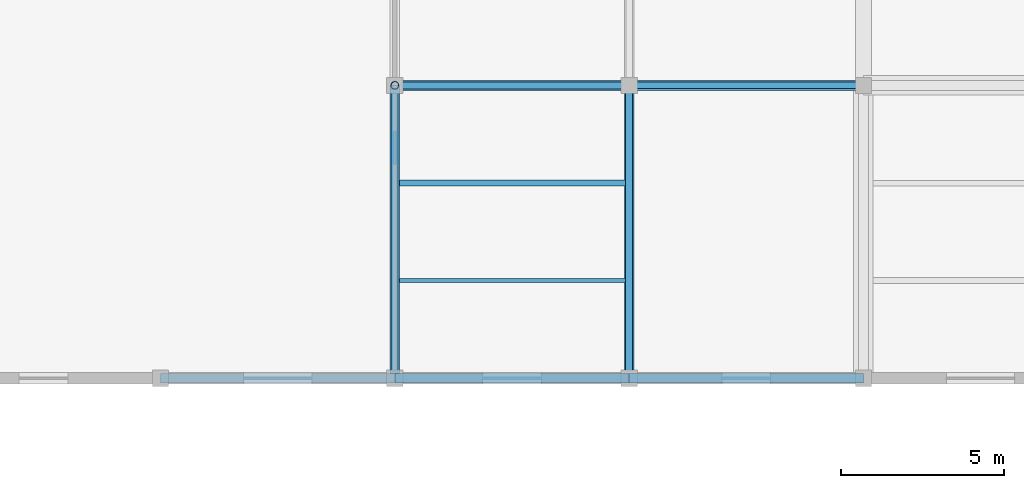
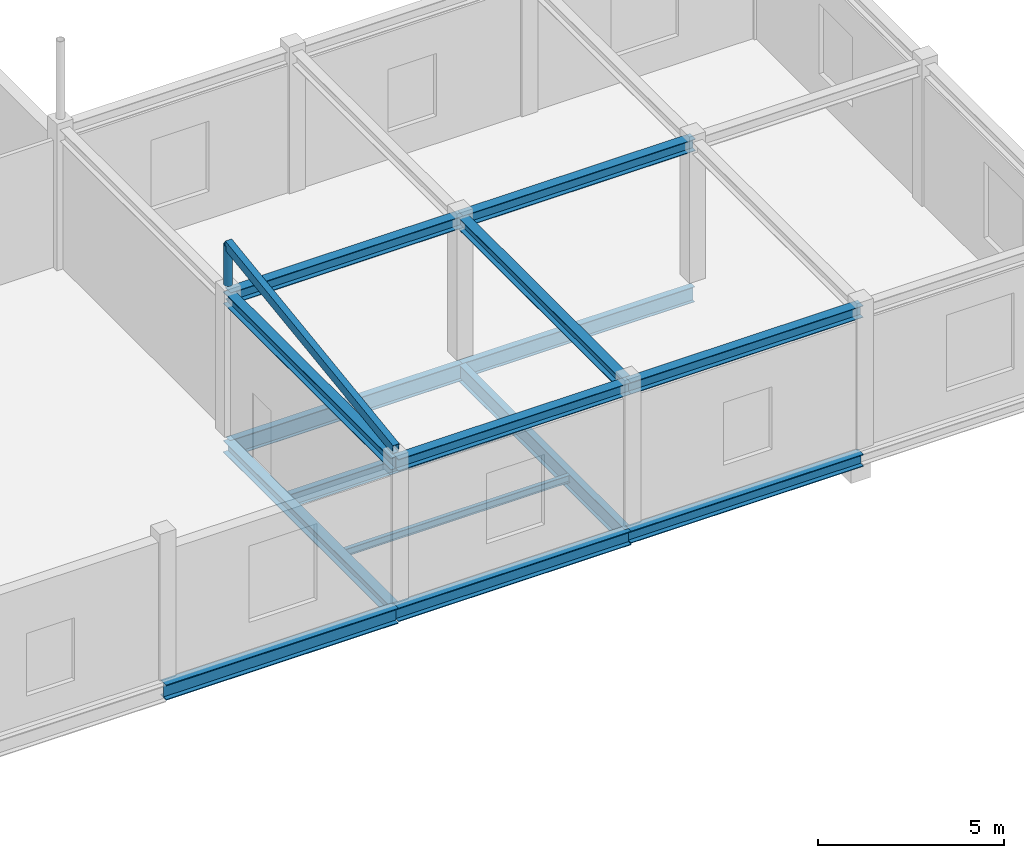
# One storey, part 11 of 35: 15 beams, 2 members.
"""IFC4 building model written with IfcOpenShell, lengths in metres."""

import ifcopenshell
import ifcopenshell.guid

model = None  # the IFC model being written
_history = None  # IfcOwnerHistory: only IFC2X3 demands one
_inside = {}  # id of a spatial element -> (the spatial element, [elements in it])
_under = {}  # id of a project, library or spatial element -> (it, [spatial elements below it])
_declared = {}  # id of a project -> (the project, [libraries it declares])
_typed = {}  # id of a type object -> (the type object, [elements of that type])
_made_of = {}  # id of a material, layer set ... -> (it, [elements and type objects made of it])


def new_model(schema):
    """Start an empty IFC model of exactly this schema.

    Asked for "IFC4X3", IfcOpenShell would pick the latest addendum, in which some entities
    have other attributes; the version numbers below select the first issue.
    IFC2X3 requires an IfcOwnerHistory on every rooted entity: one is made here for all.
    """
    global model, _history
    if schema == "IFC4X3":
        model = ifcopenshell.file(schema_version=(4, 3, 0, 0))
    else:
        model = ifcopenshell.file(schema=schema)
    _inside.clear()
    _under.clear()
    _declared.clear()
    _typed.clear()
    _made_of.clear()
    _history = None
    if model.schema == "IFC2X3":
        org = make("IfcOrganization", Name="unknown")
        user = make(
            "IfcPersonAndOrganization",
            ThePerson=make("IfcPerson", FamilyName="unknown"),
            TheOrganization=org,
        )
        app = make(
            "IfcApplication",
            ApplicationDeveloper=org,
            Version="unknown",
            ApplicationFullName="unknown",
            ApplicationIdentifier="unknown",
        )
        _history = make(
            "IfcOwnerHistory",
            OwningUser=user,
            OwningApplication=app,
            ChangeAction="ADDED",
            CreationDate=0,
        )
    return model


def make(cls, **values):
    """One entity of the class cls with the attributes given. An attribute that is None is left unset."""
    return model.create_entity(
        cls, **{name: value for name, value in values.items() if value is not None}
    )


def rooted(cls, **values):
    """An entity with a GlobalId (a new one), such as an element, a storey or a relation."""
    return make(cls, GlobalId=ifcopenshell.guid.new(), OwnerHistory=_history, **values)


def si_unit(unit_type, name, prefix=None):
    """IfcSIUnit, for example si_unit("LENGTHUNIT", "METRE", prefix="MILLI")."""
    return make("IfcSIUnit", UnitType=unit_type, Prefix=prefix, Name=name)


def assignment(units):
    """IfcUnitAssignment: the units of a project."""
    return None if units is None else make("IfcUnitAssignment", Units=units)


def point(xyz):
    """IfcCartesianPoint."""
    return None if xyz is None else make("IfcCartesianPoint", Coordinates=xyz)


def direction(xyz):
    """IfcDirection."""
    return None if xyz is None else make("IfcDirection", DirectionRatios=xyz)


def frame(location, z_axis=None, x_axis=None):
    """IfcAxis2Placement3D, a coordinate frame: its origin and axes. An axis left out is left unset."""
    return make(
        "IfcAxis2Placement3D",
        Location=point(location),
        Axis=direction(z_axis),
        RefDirection=direction(x_axis),
    )


def frame_2d(location, x_axis=None):
    """IfcAxis2Placement2D, a coordinate frame in the plane: its origin and x axis."""
    return make(
        "IfcAxis2Placement2D", Location=point(location), RefDirection=direction(x_axis)
    )


def origin():
    """The frame at (0, 0, 0) with its axes left unset."""
    return frame((0.0, 0.0, 0.0))


def origin_2d():
    """The frame at (0, 0) in the plane with its x axis left unset."""
    return frame_2d((0.0, 0.0))


def place(relative_to, where):
    """IfcLocalPlacement: puts the frame where relative to a parent placement (None: the world)."""
    return make(
        "IfcLocalPlacement", PlacementRelTo=relative_to, RelativePlacement=where
    )


def context(
    kind, dimensions, precision=None, world=None, true_north=None, identifier=None
):
    """IfcGeometricRepresentationContext, for example the 3D "Model" context."""
    return make(
        "IfcGeometricRepresentationContext",
        ContextIdentifier=identifier,
        ContextType=kind,
        CoordinateSpaceDimension=dimensions,
        Precision=precision,
        WorldCoordinateSystem=world,
        TrueNorth=true_north,
    )


def subcontext(parent, identifier, kind, view, scale=None):
    """IfcGeometricRepresentationSubContext, for example "Body" below "Model"."""
    return make(
        "IfcGeometricRepresentationSubContext",
        ContextIdentifier=identifier,
        ContextType=kind,
        ParentContext=parent,
        TargetScale=scale,
        TargetView=view,
    )


def project(units=None, contexts=None):
    """IfcProject with its units and contexts."""
    return rooted(
        "IfcProject",
        Name="project",
        RepresentationContexts=contexts,
        UnitsInContext=assignment(units),
    )


def spatial(cls, under=None, at=None, **own):
    """A site, building, storey or space (cls), placed at a placement, below another one or the project."""
    s = rooted(cls, ObjectPlacement=at, **own)
    if under is not None:
        _under.setdefault(under.id(), (under, []))[1].append(s)
    return s


def profile(cls, at=None, kind="AREA", **sizes):
    """A parametric profile (cls). Its sizes go by their IFC names, for example OverallWidth=200.0."""
    return make(cls, ProfileType=kind, Position=at, **sizes)


def hollow_rectangle(**sizes):
    """IfcRectangleHollowProfileDef."""
    return profile("IfcRectangleHollowProfileDef", **sizes)


def hollow_circle(**sizes):
    """IfcCircleHollowProfileDef."""
    return profile("IfcCircleHollowProfileDef", **sizes)


def i_section(**sizes):
    """IfcIShapeProfileDef."""
    return profile("IfcIShapeProfileDef", **sizes)


def extrude(swept, where, along, depth):
    """IfcExtrudedAreaSolid: the profile swept, set in the frame where, extruded along a direction by depth."""
    return make(
        "IfcExtrudedAreaSolid",
        SweptArea=swept,
        Position=where,
        ExtrudedDirection=direction(along),
        Depth=depth,
    )


def shape(context_of_items, identifier, shape_type, items):
    """IfcShapeRepresentation: the items that make up one representation, for example the "Body"."""
    return make(
        "IfcShapeRepresentation",
        ContextOfItems=context_of_items,
        RepresentationIdentifier=identifier,
        RepresentationType=shape_type,
        Items=items,
    )


def material(Name=None, Category=None):
    """IfcMaterial."""
    return make("IfcMaterial", Name=Name, Category=Category)


def material_profile(
    of_material, cross_section, Name=None, Category=None, Priority=None
):
    """IfcMaterialProfile: a cross section and its material."""
    return make(
        "IfcMaterialProfile",
        Name=Name,
        Material=of_material,
        Profile=cross_section,
        Priority=Priority,
        Category=Category,
    )


def profile_set(profiles, Name=None, composite=None):
    """IfcMaterialProfileSet."""
    return make(
        "IfcMaterialProfileSet",
        Name=Name,
        MaterialProfiles=profiles,
        CompositeProfile=composite,
    )


def made_of(thing, what):
    """Note that an element or type object is made of a material, layer set ...; save() writes the relation."""
    if what is not None:
        _made_of.setdefault(what.id(), (what, []))[1].append(thing)
    return thing


def type_object(cls, material=None, **own):
    """A type object (cls), such as IfcWallType, which elements share."""
    return made_of(rooted(cls, **own), material)


def element(
    cls,
    number,
    at=None,
    inside=None,
    cuts=None,
    type_object=None,
    material=None,
    context=None,
    identifier="Body",
    shape_type=None,
    held_by="IfcProductDefinitionShape",
    body=None,
    shapes=None,
    **own,
):
    """One element of the class cls, such as IfcWall. Its Tag is "e" and its number.

    at: its placement. inside: the storey or other place that contains it. cuts: it is an
    opening in that element (IfcRelVoidsElement). A single representation is given by context,
    identifier, shape_type and body (its items); several are given by shapes. held_by: the class
    of the entity that holds the representations. save() writes the other relations.
    """
    e = rooted(cls, Tag="e%d" % number, ObjectPlacement=at, **own)
    if body is not None:
        shapes = [shape(context, identifier, shape_type, body)]
    if shapes is not None:
        e.Representation = make(held_by, Representations=shapes)
    if inside is not None:
        _inside.setdefault(inside.id(), (inside, []))[1].append(e)
    if cuts is not None:
        rooted(
            "IfcRelVoidsElement", RelatingBuildingElement=cuts, RelatedOpeningElement=e
        )
    if type_object is not None:
        _typed.setdefault(type_object.id(), (type_object, []))[1].append(e)
    return made_of(e, material)


def aggregate(whole, parts):
    """IfcRelAggregates: a whole, such as a stair, and the parts it consists of."""
    return rooted("IfcRelAggregates", RelatingObject=whole, RelatedObjects=parts)


def save(model, path):
    """Write the relations noted so far, then the file.

    IfcRelAggregates (storeys below a building ...), IfcRelContainedInSpatialStructure (elements
    in a storey), IfcRelDefinesByType, IfcRelAssociatesMaterial and IfcRelDeclares: one each for
    every whole, place, type object, material and project.
    """
    for whole, parts in _under.values():
        aggregate(whole, parts)
    for where, things in _inside.values():
        rooted(
            "IfcRelContainedInSpatialStructure",
            RelatedElements=things,
            RelatingStructure=where,
        )
    for kind, things in _typed.values():
        rooted("IfcRelDefinesByType", RelatedObjects=things, RelatingType=kind)
    for what, things in _made_of.values():
        rooted("IfcRelAssociatesMaterial", RelatedObjects=things, RelatingMaterial=what)
    for by, libraries in _declared.values():
        rooted("IfcRelDeclares", RelatingContext=by, RelatedDefinitions=libraries)
    model.write(path)


model = new_model("IFC4")

# Units and contexts
model_context = context("Model", 3, precision=1e-05, world=origin(), true_north=direction((0.0, 1.0)))
body_context = subcontext(model_context, "Body", "Model", "MODEL_VIEW")
ifc_project = project(units=[si_unit("LENGTHUNIT", "METRE"), si_unit("AREAUNIT", "SQUARE_METRE"), si_unit("VOLUMEUNIT", "CUBIC_METRE"), si_unit("PLANEANGLEUNIT", "RADIAN"), si_unit("MASSUNIT", "GRAM", prefix="KILO")], contexts=[model_context])

# Site, building, storey
site_placement = place(None, origin())
site = spatial("IfcSite", under=ifc_project, at=site_placement, CompositionType="ELEMENT")
building_placement = place(site_placement, origin())
building = spatial("IfcBuilding", under=site, at=building_placement, Name="Sundgate Opera House", CompositionType="ELEMENT")
storey_placement = place(building_placement, frame((0.0, 0.0, 21.60009765625)))
storey = spatial("IfcBuildingStorey", under=building, at=storey_placement, Name="L04", CompositionType="ELEMENT", Elevation=21.60009765625)

# Beams
ifc_material_1 = material(Name="Steel S355J2", Category="steel")
ifc_material_profile_1 = material_profile(ifc_material_1, i_section(OverallWidth=0.300048828125, OverallDepth=0.389892578125, WebThickness=0.010986328125, FlangeThickness=0.01904296875, at=origin_2d()), Name="HEA 400")
ifc_profile_set_1 = profile_set([ifc_material_profile_1], Name="Steel S355J2")
beam_type_1 = type_object("IfcBeamType", Name="BM-GR-HEA400", PredefinedType="BEAM", material=ifc_profile_set_1)
for number, where, z_axis, x_axis, name in (
    (1, (124.199951171875, 69.0, -0.47509765625), (0.0, 1.0, 0.0), (-1.0, 0.0, 0.0), "L04 Primary N-S Girder B2932"),
    (2, (124.199951171875, 69.0, 4.39501953125), (0.0, 1.0, 0.0), (-1.0, 0.0, 0.0), "L04 L04 Roof Girder B3421"),
    (3, (131.39990234375, 69.0, 4.39501953125), (0.0, 1.0, 0.0), (-1.0, 0.0, 0.0), "L04 L04 Roof Girder B3423"),
):
    element("IfcBeam", number, at=place(storey_placement, frame(where, z_axis=z_axis, x_axis=x_axis)), inside=storey, type_object=beam_type_1, Name=name, PredefinedType="BEAM", context=body_context, shape_type="SweptSolid", body=[
        extrude(i_section(OverallWidth=0.300048828125, OverallDepth=0.389892578125, WebThickness=0.010986328125, FlangeThickness=0.01904296875, at=origin_2d()), origin(), (0.0, 0.0, 1.0), 9.0),
    ])
beam_1_placement = place(storey_placement, frame((124.199951171875, 69.0, 4.39501953125), z_axis=(1.0, 0.0, 0.0), x_axis=(0.0, 1.0, 0.0)))
element("IfcBeam", 4, at=beam_1_placement, inside=storey, type_object=beam_type_1, Name="L04 L04 Roof Girder B3429", PredefinedType="BEAM", context=body_context, shape_type="SweptSolid", body=[
    extrude(i_section(OverallWidth=0.300048828125, OverallDepth=0.389892578125, WebThickness=0.010986328125, FlangeThickness=0.01904296875, at=origin_2d()), origin(), (0.0, 0.0, 1.0), 7.199951171875),
])
beam_2_placement = place(storey_placement, frame((131.39990234375, 69.0, 4.39501953125), z_axis=(1.0, 0.0, 0.0), x_axis=(0.0, 1.0, 0.0)))
element("IfcBeam", 5, at=beam_2_placement, inside=storey, type_object=beam_type_1, Name="L04 L04 Roof Girder B3430", PredefinedType="BEAM", context=body_context, shape_type="SweptSolid", body=[
    extrude(i_section(OverallWidth=0.300048828125, OverallDepth=0.389892578125, WebThickness=0.010986328125, FlangeThickness=0.01904296875, at=origin_2d()), origin(), (0.0, 0.0, 1.0), 7.2001953125),
])
beam_3_placement = place(storey_placement, frame((124.199951171875, 78.0, 4.39501953125), z_axis=(1.0, 0.0, 0.0), x_axis=(0.0, 1.0, 0.0)))
element("IfcBeam", 6, at=beam_3_placement, inside=storey, type_object=beam_type_1, Name="L04 L04 Roof Girder B3432", PredefinedType="BEAM", context=body_context, shape_type="SweptSolid", body=[
    extrude(i_section(OverallWidth=0.300048828125, OverallDepth=0.389892578125, WebThickness=0.010986328125, FlangeThickness=0.01904296875, at=origin_2d()), origin(), (0.0, 0.0, 1.0), 7.199951171875),
])
beam_4_placement = place(storey_placement, frame((131.39990234375, 78.0, 4.39501953125), z_axis=(1.0, 0.0, 0.0), x_axis=(0.0, 1.0, 0.0)))
element("IfcBeam", 7, at=beam_4_placement, inside=storey, type_object=beam_type_1, Name="L04 L04 Roof Girder B3433", PredefinedType="BEAM", context=body_context, shape_type="SweptSolid", body=[
    extrude(i_section(OverallWidth=0.300048828125, OverallDepth=0.389892578125, WebThickness=0.010986328125, FlangeThickness=0.01904296875, at=origin_2d()), origin(), (0.0, 0.0, 1.0), 7.2001953125),
])
ifc_material_2 = material(Name="Steel S355J2", Category="steel")
ifc_material_profile_2 = material_profile(ifc_material_2, i_section(OverallWidth=0.300048828125, OverallDepth=0.39990234375, WebThickness=0.013427734375, FlangeThickness=0.02392578125, at=origin_2d()), Name="HEB 400")
ifc_profile_set_2 = profile_set([ifc_material_profile_2], Name="Steel S355J2")
beam_type_2 = type_object("IfcBeamType", Name="BM-GR-HEB400", PredefinedType="BEAM", material=ifc_profile_set_2)
beam_5_placement = place(storey_placement, frame((131.39990234375, 69.0, -0.47998046875), z_axis=(1.0, 0.0, 0.0), x_axis=(0.0, 1.0, 0.0)))
element("IfcBeam", 8, at=beam_5_placement, inside=storey, type_object=beam_type_2, Name="L04 Primary E-W Girder B2971", PredefinedType="BEAM", context=body_context, shape_type="SweptSolid", body=[
    extrude(i_section(OverallWidth=0.300048828125, OverallDepth=0.39990234375, WebThickness=0.013427734375, FlangeThickness=0.02392578125, at=origin_2d()), origin(), (0.0, 0.0, 1.0), 7.2001953125),
])
ifc_material_3 = material(Name="Steel S355J2", Category="steel")
ifc_material_profile_3 = material_profile(ifc_material_3, i_section(OverallWidth=0.300048828125, OverallDepth=0.449951171875, WebThickness=0.013916015625, FlangeThickness=0.02587890625, at=origin_2d()), Name="HEB 450")
ifc_profile_set_3 = profile_set([ifc_material_profile_3], Name="Steel S355J2")
beam_type_3 = type_object("IfcBeamType", Name="BM-GR-HEB450", PredefinedType="BEAM", material=ifc_profile_set_3)
beam_6_placement = place(storey_placement, frame((124.199951171875, 69.0, -0.505126953125), z_axis=(1.0, 0.0, 0.0), x_axis=(0.0, 1.0, 0.0)))
element("IfcBeam", 9, at=beam_6_placement, inside=storey, type_object=beam_type_3, Name="L04 Primary E-W Girder B2970", PredefinedType="BEAM", context=body_context, shape_type="SweptSolid", body=[
    extrude(i_section(OverallWidth=0.300048828125, OverallDepth=0.449951171875, WebThickness=0.013916015625, FlangeThickness=0.02587890625, at=origin_2d()), origin(), (0.0, 0.0, 1.0), 7.199951171875),
])
ifc_material_4 = material(Name="Steel S355J2", Category="steel")
ifc_material_profile_4 = material_profile(ifc_material_4, i_section(OverallWidth=0.300048828125, OverallDepth=0.5, WebThickness=0.014404296875, FlangeThickness=0.028076171875, at=origin_2d()), Name="HEB 500")
ifc_profile_set_4 = profile_set([ifc_material_profile_4], Name="Steel S355J2")
beam_type_4 = type_object("IfcBeamType", Name="BM-GR-HEB500", PredefinedType="BEAM", material=ifc_profile_set_4)
beam_7_placement = place(storey_placement, frame((117.0, 69.0, -0.530029296875), z_axis=(1.0, 0.0, 0.0), x_axis=(0.0, 1.0, 0.0)))
element("IfcBeam", 10, at=beam_7_placement, inside=storey, type_object=beam_type_4, Name="L04 Primary E-W Girder B2969", PredefinedType="BEAM", context=body_context, shape_type="SweptSolid", body=[
    extrude(i_section(OverallWidth=0.300048828125, OverallDepth=0.5, WebThickness=0.014404296875, FlangeThickness=0.028076171875, at=origin_2d()), origin(), (0.0, 0.0, 1.0), 7.199951171875),
])
ifc_material_5 = material(Name="Steel S355J2", Category="steel")
ifc_material_profile_5 = material_profile(ifc_material_5, i_section(OverallWidth=0.199951171875, OverallDepth=0.5, WebThickness=0.01025390625, FlangeThickness=0.01611328125, at=origin_2d()), Name="IPE 500")
ifc_profile_set_5 = profile_set([ifc_material_profile_5], Name="Steel S355J2")
beam_type_5 = type_object("IfcBeamType", Name="BM-GR-IPE500", PredefinedType="BEAM", material=ifc_profile_set_5)
beam_8_placement = place(storey_placement, frame((131.39990234375, 78.0, -0.530029296875), z_axis=(1.0, 0.0, 0.0), x_axis=(0.0, 1.0, 0.0)))
element("IfcBeam", 11, at=beam_8_placement, inside=storey, type_object=beam_type_5, Name="L04 Primary E-W Girder B2981", PredefinedType="BEAM", context=body_context, shape_type="SweptSolid", body=[
    extrude(i_section(OverallWidth=0.199951171875, OverallDepth=0.5, WebThickness=0.01025390625, FlangeThickness=0.01611328125, at=origin_2d()), origin(), (0.0, 0.0, 1.0), 7.2001953125),
])
ifc_material_6 = material(Name="Steel S355J2", Category="steel")
ifc_material_profile_6 = material_profile(ifc_material_6, i_section(OverallWidth=0.2099609375, OverallDepth=0.550048828125, WebThickness=0.010986328125, FlangeThickness=0.01708984375, at=origin_2d()), Name="IPE 550")
ifc_profile_set_6 = profile_set([ifc_material_profile_6], Name="Steel S355J2")
beam_type_6 = type_object("IfcBeamType", Name="BM-GR-IPE550", PredefinedType="BEAM", material=ifc_profile_set_6)
beam_9_placement = place(storey_placement, frame((131.39990234375, 69.0, -0.55517578125), z_axis=(0.0, 1.0, 0.0), x_axis=(-1.0, 0.0, 0.0)))
element("IfcBeam", 12, at=beam_9_placement, inside=storey, type_object=beam_type_6, Name="L04 Primary N-S Girder B2936", PredefinedType="BEAM", context=body_context, shape_type="SweptSolid", body=[
    extrude(i_section(OverallWidth=0.2099609375, OverallDepth=0.550048828125, WebThickness=0.010986328125, FlangeThickness=0.01708984375, at=origin_2d()), origin(), (0.0, 0.0, 1.0), 9.0),
])
beam_10_placement = place(storey_placement, frame((124.199951171875, 78.0, -0.55517578125), z_axis=(1.0, 0.0, 0.0), x_axis=(0.0, 1.0, 0.0)))
element("IfcBeam", 13, at=beam_10_placement, inside=storey, type_object=beam_type_6, Name="L04 Primary E-W Girder B2980", PredefinedType="BEAM", context=body_context, shape_type="SweptSolid", body=[
    extrude(i_section(OverallWidth=0.2099609375, OverallDepth=0.550048828125, WebThickness=0.010986328125, FlangeThickness=0.01708984375, at=origin_2d()), origin(), (0.0, 0.0, 1.0), 7.199951171875),
])
ifc_material_7 = material(Name="Steel S355J2", Category="steel")
ifc_material_profile_7 = material_profile(ifc_material_7, i_section(OverallWidth=0.1201171875, OverallDepth=0.239990234375, WebThickness=0.006103515625, FlangeThickness=0.009765625, at=origin_2d()), Name="IPE 240")
ifc_profile_set_7 = profile_set([ifc_material_profile_7], Name="Steel S355J2")
beam_type_7 = type_object("IfcBeamType", Name="BM-JS-IPE240", PredefinedType="JOIST", material=ifc_profile_set_7)
beam_11_placement = place(storey_placement, frame((124.35009765625, 72.0, -0.400146484375), z_axis=(1.0, 0.0, 0.0), x_axis=(0.0, 1.0, 0.0)))
element("IfcBeam", 14, at=beam_11_placement, inside=storey, type_object=beam_type_7, Name="L04 Secondary Floor Joist B3039", PredefinedType="JOIST", context=body_context, shape_type="SweptSolid", body=[
    extrude(i_section(OverallWidth=0.1201171875, OverallDepth=0.239990234375, WebThickness=0.006103515625, FlangeThickness=0.009765625, at=origin_2d()), origin(), (0.0, 0.0, 1.0), 6.94482421875),
])
ifc_material_8 = material(Name="Steel S355J2", Category="steel")
ifc_material_profile_8 = material_profile(ifc_material_8, i_section(OverallWidth=0.18994140625, OverallDepth=0.449951171875, WebThickness=0.009521484375, FlangeThickness=0.0146484375, at=origin_2d()), Name="IPE 450")
ifc_profile_set_8 = profile_set([ifc_material_profile_8], Name="Steel S355J2")
beam_type_8 = type_object("IfcBeamType", Name="BM-JS-IPE450", PredefinedType="JOIST", material=ifc_profile_set_8)
beam_12_placement = place(storey_placement, frame((124.35009765625, 75.0, -0.505126953125), z_axis=(1.0, 0.0, 0.0), x_axis=(0.0, 1.0, 0.0)))
element("IfcBeam", 15, at=beam_12_placement, inside=storey, type_object=beam_type_8, Name="L04 Secondary Floor Joist B3040", PredefinedType="JOIST", context=body_context, shape_type="SweptSolid", body=[
    extrude(i_section(OverallWidth=0.18994140625, OverallDepth=0.449951171875, WebThickness=0.009521484375, FlangeThickness=0.0146484375, at=origin_2d()), origin(), (0.0, 0.0, 1.0), 6.94482421875),
])

# Members
ifc_material_9 = material(Name="Steel S355J2", Category="steel")
ifc_material_profile_9 = material_profile(ifc_material_9, hollow_rectangle(XDim=0.199951171875, YDim=0.300048828125, WallThickness=0.012451171875, at=origin_2d()), Name="RHS 300x200x12.5")
ifc_profile_set_9 = profile_set([ifc_material_profile_9], Name="Steel S355J2")
member_type_1 = type_object("IfcMemberType", Name="MB-ARCH-RHS300", PredefinedType="USERDEFINED", material=ifc_profile_set_9)
member_1_placement = place(storey_placement, frame((124.199951171875, 69.0, 4.849853515625), z_axis=(0.0, 0.990492273178, 0.137568371275), x_axis=(-1.0, 0.0, 0.0)))
element("IfcMember", 16, at=member_1_placement, inside=storey, type_object=member_type_1, Name="Conservatory Vault Rib M0452", ObjectType="ARCH RIB", PredefinedType="USERDEFINED", context=body_context, shape_type="SweptSolid", body=[
    extrude(hollow_rectangle(XDim=0.199951171875, YDim=0.300048828125, WallThickness=0.012451171875, at=origin_2d()), origin(), (0.0, 0.0, 1.0), 9.08642578125),
])
ifc_material_10 = material(Name="Steel S355J2", Category="steel")
ifc_material_profile_10 = material_profile(ifc_material_10, hollow_circle(Radius=0.122314453125, WallThickness=0.012451171875, at=origin_2d()), Name="CHS 244.5x12.5")
ifc_profile_set_10 = profile_set([ifc_material_profile_10], Name="Steel S355J2")
member_type_2 = type_object("IfcMemberType", Name="MB-STRUT-CHS244", PredefinedType="STRUT", material=ifc_profile_set_10)
member_2_placement = place(storey_placement, frame((124.199951171875, 78.0, 4.789794921875), z_axis=(0.0, 0.0, 1.0), x_axis=(1.0, 0.0, 0.0)))
element("IfcMember", 17, at=member_2_placement, inside=storey, type_object=member_type_2, Name="L04 Conservatory Crown Post M0449", PredefinedType="STRUT", context=body_context, shape_type="SweptSolid", body=[
    extrude(hollow_circle(Radius=0.122314453125, WallThickness=0.012451171875, at=origin_2d()), origin(), (0.0, 0.0, 1.0), 1.31005859375),
])

save(model, "model.ifc")
